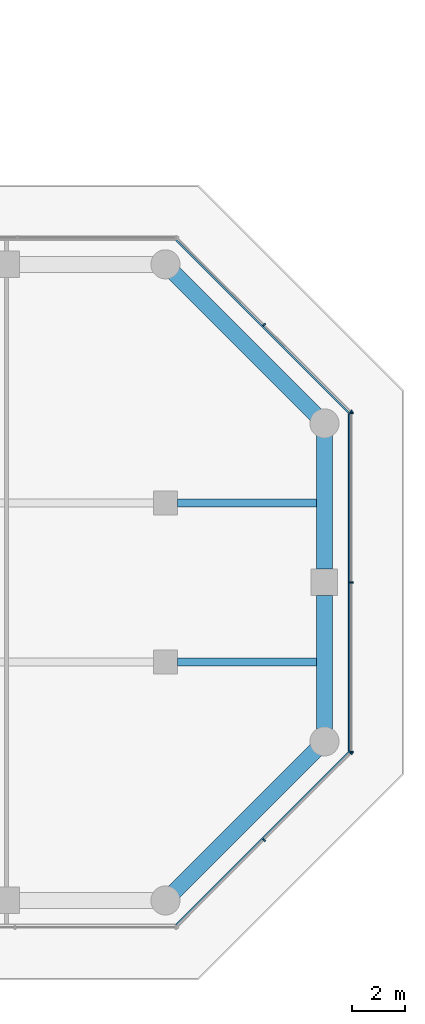
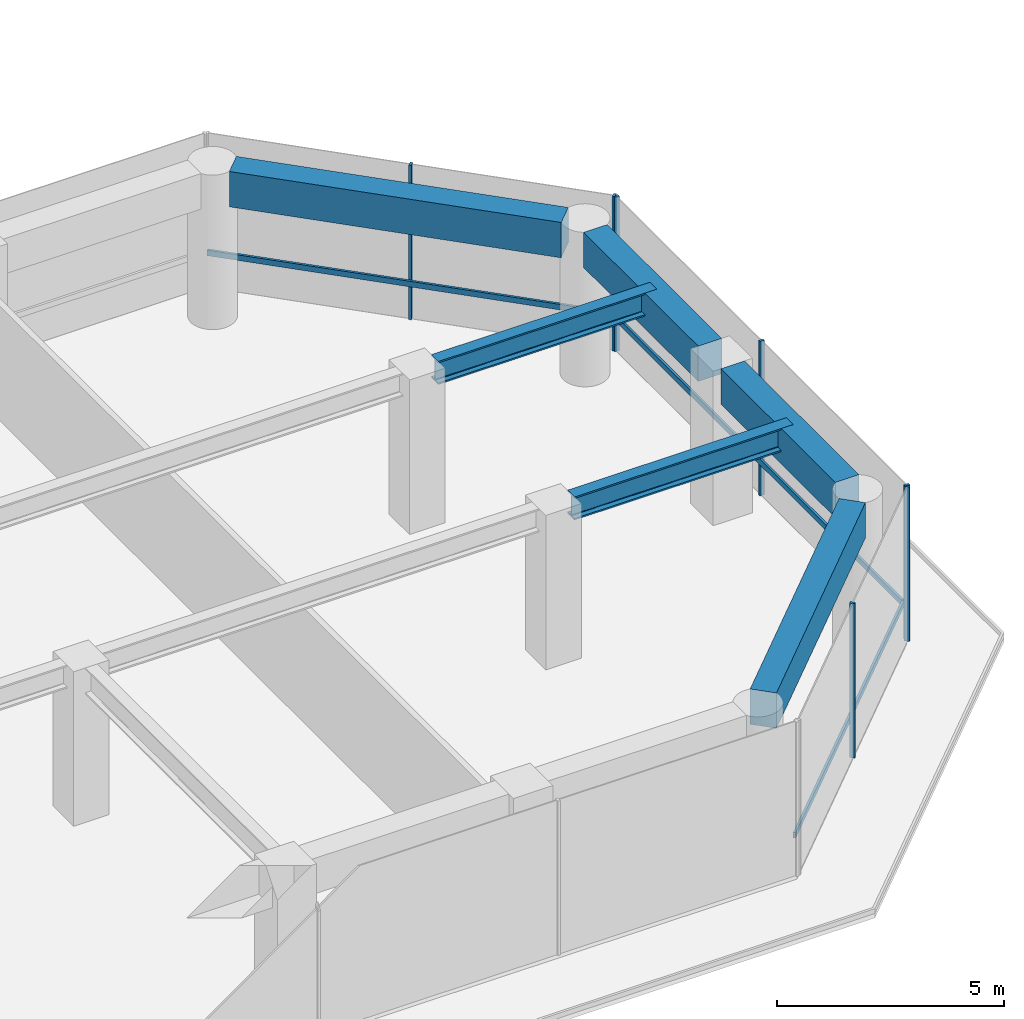
# One storey, part 18 of 24: 10 members, 6 beams, 3 elements without a shape of their own.
"""IFC4 building model written with IfcOpenShell, lengths in metres."""

from ifc_helpers import new_model, si_unit, direction, frame, origin, origin_2d, place, context, subcontext, project, spatial, rectangle, i_section, extrude, material, layer, layer_set, material_profile, profile_set, type_object, element, aggregate, save


model = new_model("IFC4")

# Units and contexts
model_context = context("Model", 3, precision=1e-05, world=origin(), true_north=direction((0.0, 1.0)))
body_context = subcontext(model_context, "Body", "Model", "MODEL_VIEW")
ifc_project = project(units=[si_unit("LENGTHUNIT", "METRE"), si_unit("AREAUNIT", "SQUARE_METRE"), si_unit("VOLUMEUNIT", "CUBIC_METRE"), si_unit("PLANEANGLEUNIT", "RADIAN"), si_unit("MASSUNIT", "GRAM", prefix="KILO")], contexts=[model_context])

# Site, building, storey
site_placement = place(None, origin())
site = spatial("IfcSite", under=ifc_project, at=site_placement, CompositionType="ELEMENT")
building_placement = place(site_placement, origin())
building = spatial("IfcBuilding", under=site, at=building_placement, Name="Welwitschia Terrace Campus", CompositionType="ELEMENT")
storey_placement = place(building_placement, frame((0.0, 0.0, 20.0)))
storey = spatial("IfcBuildingStorey", under=building, at=storey_placement, Name="L04", CompositionType="ELEMENT", Elevation=20.0)

# Beams
ifc_material_1 = material(Name="Steel S355", Category="steel")
ifc_material_profile_1 = material_profile(ifc_material_1, i_section(OverallWidth=0.304931640625, OverallDepth=0.6201171875, WebThickness=0.02099609375, FlangeThickness=0.0400390625, FilletRadius=0.027099609375, at=origin_2d()))
ifc_profile_set_1 = profile_set([ifc_material_profile_1], Name="Steel S355")
beam_type_1 = type_object("IfcBeamType", Name="Interior girder HE 600 M", PredefinedType="BEAM", material=ifc_profile_set_1)
for number, where, z_axis, x_axis, name in (
    (1, (60.450439453125, 5.0, 3.840087890625), (1.0, 0.0, 0.0), (0.0, 1.0, 0.0), "Girder GB1"),
    (2, (60.450439453125, 11.0, 3.840087890625), (1.0, 0.0, 0.0), (0.0, 1.0, 0.0), "Girder GB1"),
):
    element("IfcBeam", number, at=place(storey_placement, frame(where, z_axis=z_axis, x_axis=x_axis)), inside=storey, type_object=beam_type_1, Name=name, PredefinedType="BEAM", context=body_context, shape_type="SweptSolid", body=[
        extrude(i_section(OverallWidth=0.304931640625, OverallDepth=0.6201171875, WebThickness=0.02099609375, FlangeThickness=0.0400390625, FilletRadius=0.027099609375, at=origin_2d()), origin(), (0.0, 0.0, 1.0), 5.5595703125),
    ])

# Curtain wall, members
ifc_material_2 = material(Name="Bronze anodised aluminium", Category="aluminium")
ifc_layer = layer(ifc_material_2, 0.1201171875)
ifc_layer_set = layer_set([ifc_layer], Name="Bronze anodised aluminium")
curtain_wall_type = type_object("IfcCurtainWallType", Name="Curtain wall CW2 tower 6000", PredefinedType="NOTDEFINED", material=ifc_layer_set)
curtain_wall_1_placement = place(storey_placement, origin())
curtain_wall_1 = element("IfcCurtainWall", 3, at=curtain_wall_1_placement, inside=storey, type_object=curtain_wall_type, Name="CW L04.2.0", PredefinedType="NOTDEFINED")
ifc_material_3 = material(Name="Bronze anodised aluminium", Category="aluminium")
ifc_material_profile_2 = material_profile(ifc_material_3, rectangle(XDim=0.1201171875, YDim=0.06005859375, at=origin_2d()))
ifc_profile_set_2 = profile_set([ifc_material_profile_2], Name="Bronze anodised aluminium")
member_type_1 = type_object("IfcMemberType", Name="Mullion 60x120", PredefinedType="MULLION", material=ifc_profile_set_2)
member_1_placement = place(storey_placement, frame((63.72119140625, -1.72119140625, 0.0), z_axis=(0.0, 0.0, 1.0), x_axis=(-0.707106781187, 0.707106781187, 0.0)))
member_1 = element("IfcMember", 4, at=member_1_placement, type_object=member_type_1, Name="Mullion L04.2.0.1", PredefinedType="MULLION", context=body_context, shape_type="SweptSolid", body=[
    extrude(rectangle(XDim=0.1201171875, YDim=0.06005859375, at=origin_2d()), origin(), (0.0, 0.0, 1.0), 4.14990234375),
])
member_2_placement = place(storey_placement, frame((66.998779296875, 1.556396484375, 0.0), z_axis=(0.0, 0.0, 1.0), x_axis=(-0.707106781187, 0.707106781187, 0.0)))
member_2 = element("IfcMember", 5, at=member_2_placement, type_object=member_type_1, Name="Mullion L04.2.0.2", PredefinedType="MULLION", context=body_context, shape_type="SweptSolid", body=[
    extrude(rectangle(XDim=0.1201171875, YDim=0.06005859375, at=origin_2d()), origin(), (0.0, 0.0, 1.0), 4.14990234375),
])

curtain_wall_2_placement = place(storey_placement, origin())
curtain_wall_2 = element("IfcCurtainWall", 6, at=curtain_wall_2_placement, inside=storey, type_object=curtain_wall_type, Name="CW L04.3.0", PredefinedType="NOTDEFINED")
member_3_placement = place(storey_placement, frame((67.02001953125, 1.607421875, 0.0), z_axis=(0.0, 0.0, 1.0), x_axis=(-1.0, 0.0, 0.0)))
member_3 = element("IfcMember", 7, at=member_3_placement, type_object=member_type_1, Name="Mullion L04.3.0.0", PredefinedType="MULLION", context=body_context, shape_type="SweptSolid", body=[
    extrude(rectangle(XDim=0.1201171875, YDim=0.06005859375, at=origin_2d()), origin(), (0.0, 0.0, 1.0), 4.14990234375),
])
member_4_placement = place(storey_placement, frame((67.02001953125, 8.0, 0.0), z_axis=(0.0, 0.0, 1.0), x_axis=(-1.0, 0.0, 0.0)))
member_4 = element("IfcMember", 8, at=member_4_placement, type_object=member_type_1, Name="Mullion L04.3.0.1", PredefinedType="MULLION", context=body_context, shape_type="SweptSolid", body=[
    extrude(rectangle(XDim=0.1201171875, YDim=0.06005859375, at=origin_2d()), origin(), (0.0, 0.0, 1.0), 4.14990234375),
])
member_5_placement = place(storey_placement, frame((67.02001953125, 14.392578125, 0.0), z_axis=(0.0, 0.0, 1.0), x_axis=(-1.0, 0.0, 0.0)))
member_5 = element("IfcMember", 9, at=member_5_placement, type_object=member_type_1, Name="Mullion L04.3.0.2", PredefinedType="MULLION", context=body_context, shape_type="SweptSolid", body=[
    extrude(rectangle(XDim=0.1201171875, YDim=0.06005859375, at=origin_2d()), origin(), (0.0, 0.0, 1.0), 4.14990234375),
])

curtain_wall_3_placement = place(storey_placement, origin())
curtain_wall_3 = element("IfcCurtainWall", 10, at=curtain_wall_3_placement, inside=storey, type_object=curtain_wall_type, Name="CW L04.4.0", PredefinedType="NOTDEFINED")
member_6_placement = place(storey_placement, frame((66.998779296875, 14.443603515625, 0.0), z_axis=(0.0, 0.0, 1.0), x_axis=(-0.707106781187, -0.707106781187, 0.0)))
member_6 = element("IfcMember", 11, at=member_6_placement, type_object=member_type_1, Name="Mullion L04.4.0.0", PredefinedType="MULLION", context=body_context, shape_type="SweptSolid", body=[
    extrude(rectangle(XDim=0.1201171875, YDim=0.06005859375, at=origin_2d()), origin(), (0.0, 0.0, 1.0), 4.14990234375),
])
member_7_placement = place(storey_placement, frame((63.72119140625, 17.72119140625, 0.0), z_axis=(0.0, 0.0, 1.0), x_axis=(-0.707106781187, -0.707106781187, 0.0)))
member_7 = element("IfcMember", 12, at=member_7_placement, type_object=member_type_1, Name="Mullion L04.4.0.1", PredefinedType="MULLION", context=body_context, shape_type="SweptSolid", body=[
    extrude(rectangle(XDim=0.1201171875, YDim=0.06005859375, at=origin_2d()), origin(), (0.0, 0.0, 1.0), 4.14990234375),
])

# Beams
ifc_material_4 = material(Name="Concrete C60/75", Category="concrete")
ifc_material_profile_3 = material_profile(ifc_material_4, rectangle(XDim=0.60009765625, YDim=0.949951171875, at=origin_2d()))
ifc_profile_set_3 = profile_set([ifc_material_profile_3], Name="Concrete C60/75")
beam_type_2 = type_object("IfcBeamType", Name="Ring spandrel 600x950", PredefinedType="SPANDREL", material=ifc_profile_set_3)
beam_1_placement = place(storey_placement, frame((60.326416015625, -3.673583984375, 3.675048828125), z_axis=(0.707106781187, 0.707106781187, 0.0), x_axis=(-0.707106781187, 0.707106781187, 0.0)))
element("IfcBeam", 13, at=beam_1_placement, inside=storey, type_object=beam_type_2, Name="Spandrel SP1", PredefinedType="SPANDREL", context=body_context, shape_type="SweptSolid", body=[
    extrude(rectangle(XDim=0.60009765625, YDim=0.949951171875, at=origin_2d()), origin(), (0.0, 0.0, 1.0), 7.56201171875),
])
for number, where, z_axis, x_axis, name in (
    (14, (66.0, 2.46142578125, 3.675048828125), (0.0, 1.0, 0.0), (-1.0, 0.0, 0.0), "Spandrel SP1"),
    (15, (66.0, 8.50048828125, 3.675048828125), (0.0, 1.0, 0.0), (-1.0, 0.0, 0.0), "Spandrel SP1"),
):
    element("IfcBeam", number, at=place(storey_placement, frame(where, z_axis=z_axis, x_axis=x_axis)), inside=storey, type_object=beam_type_2, Name=name, PredefinedType="SPANDREL", context=body_context, shape_type="SweptSolid", body=[
        extrude(rectangle(XDim=0.60009765625, YDim=0.949951171875, at=origin_2d()), origin(), (0.0, 0.0, 1.0), 5.0380859375),
    ])
beam_2_placement = place(storey_placement, frame((65.673583984375, 14.326416015625, 3.675048828125), z_axis=(-0.707106781187, 0.707106781187, 0.0), x_axis=(-0.707106781187, -0.707106781187, 0.0)))
element("IfcBeam", 16, at=beam_2_placement, inside=storey, type_object=beam_type_2, Name="Spandrel SP1", PredefinedType="SPANDREL", context=body_context, shape_type="SweptSolid", body=[
    extrude(rectangle(XDim=0.60009765625, YDim=0.949951171875, at=origin_2d()), origin(), (0.0, 0.0, 1.0), 7.56201171875),
])

# Member
ifc_material_5 = material(Name="Bronze anodised aluminium", Category="aluminium")
ifc_material_profile_4 = material_profile(ifc_material_5, rectangle(XDim=0.06005859375, YDim=0.14990234375, at=origin_2d()))
ifc_profile_set_4 = profile_set([ifc_material_profile_4], Name="Bronze anodised aluminium")
member_type_2 = type_object("IfcMemberType", Name="Transom 60x150", PredefinedType="USERDEFINED", material=ifc_profile_set_4)
member_8_placement = place(storey_placement, frame((60.4013671875, -4.913818359375, 1.0), z_axis=(0.707106781187, 0.707106781187, 0.0), x_axis=(-0.707106781187, 0.707106781187, 0.0)))
member_8 = element("IfcMember", 17, at=member_8_placement, type_object=member_type_2, Name="Transom L04.2.0", ObjectType="TRANSOM", PredefinedType="USERDEFINED", context=body_context, shape_type="SweptSolid", body=[
    extrude(rectangle(XDim=0.06005859375, YDim=0.14990234375, at=origin_2d()), origin(), (0.0, 0.0, 1.0), 9.2099609375),
])

aggregate(curtain_wall_1, [member_1, member_2, member_8])

member_9_placement = place(storey_placement, frame((66.929931640625, 1.637451171875, 1.0), z_axis=(0.0, 1.0, 0.0), x_axis=(-1.0, 0.0, 0.0)))
member_9 = element("IfcMember", 18, at=member_9_placement, type_object=member_type_2, Name="Transom L04.3.0", ObjectType="TRANSOM", PredefinedType="USERDEFINED", context=body_context, shape_type="SweptSolid", body=[
    extrude(rectangle(XDim=0.06005859375, YDim=0.14990234375, at=origin_2d()), origin(), (0.0, 0.0, 1.0), 12.72509765625),
])

aggregate(curtain_wall_2, [member_3, member_4, member_5, member_9])

member_10_placement = place(storey_placement, frame((66.913818359375, 14.4013671875, 1.0), z_axis=(-0.707106781187, 0.707106781187, 0.0), x_axis=(-0.707106781187, -0.707106781187, 0.0)))
member_10 = element("IfcMember", 19, at=member_10_placement, type_object=member_type_2, Name="Transom L04.4.0", ObjectType="TRANSOM", PredefinedType="USERDEFINED", context=body_context, shape_type="SweptSolid", body=[
    extrude(rectangle(XDim=0.06005859375, YDim=0.14990234375, at=origin_2d()), origin(), (0.0, 0.0, 1.0), 9.2099609375),
])

aggregate(curtain_wall_3, [member_6, member_7, member_10])

save(model, "model.ifc")
